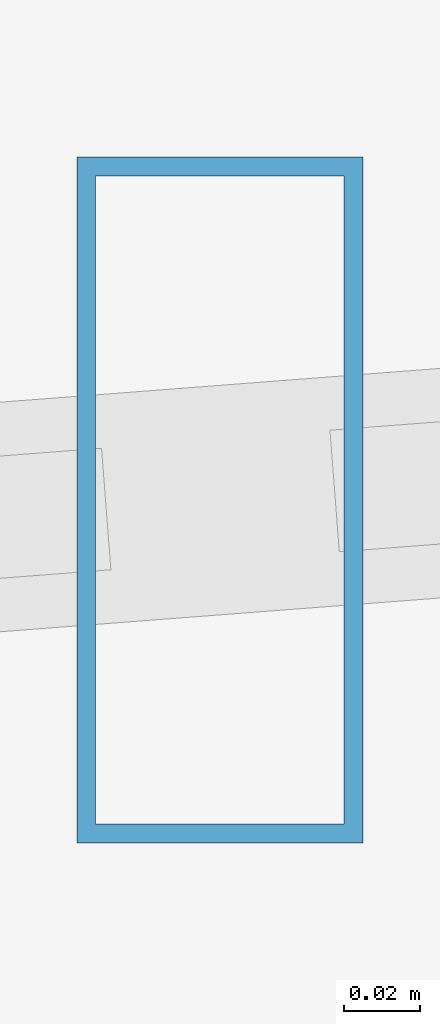
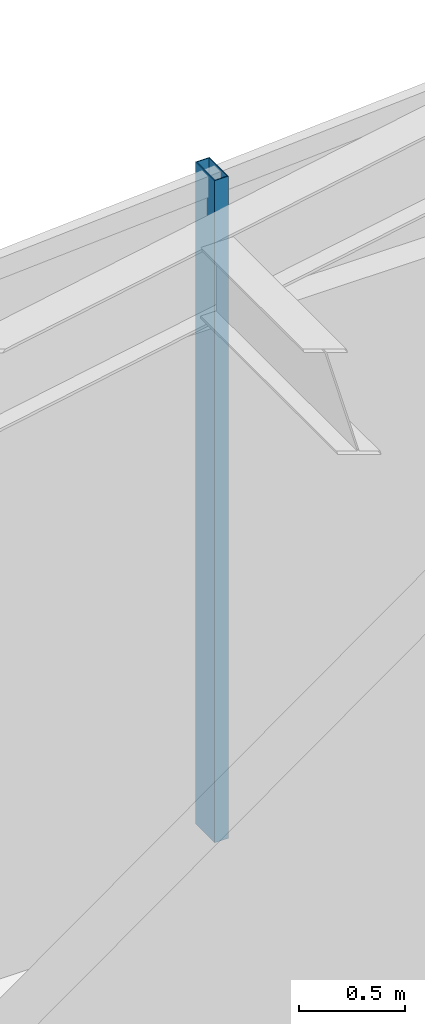
# One storey, part 10 of 28: 1 member, 1 element without a shape of its own.
"""IFC4 building model written with IfcOpenShell, lengths in metres."""

import ifcopenshell
import ifcopenshell.guid

model = None  # the IFC model being written
_history = None  # IfcOwnerHistory: only IFC2X3 demands one
_inside = {}  # id of a spatial element -> (the spatial element, [elements in it])
_under = {}  # id of a project, library or spatial element -> (it, [spatial elements below it])
_declared = {}  # id of a project -> (the project, [libraries it declares])
_typed = {}  # id of a type object -> (the type object, [elements of that type])
_made_of = {}  # id of a material, layer set ... -> (it, [elements and type objects made of it])


def new_model(schema):
    """Start an empty IFC model of exactly this schema.

    Asked for "IFC4X3", IfcOpenShell would pick the latest addendum, in which some entities
    have other attributes; the version numbers below select the first issue.
    IFC2X3 requires an IfcOwnerHistory on every rooted entity: one is made here for all.
    """
    global model, _history
    if schema == "IFC4X3":
        model = ifcopenshell.file(schema_version=(4, 3, 0, 0))
    else:
        model = ifcopenshell.file(schema=schema)
    _inside.clear()
    _under.clear()
    _declared.clear()
    _typed.clear()
    _made_of.clear()
    _history = None
    if model.schema == "IFC2X3":
        org = make("IfcOrganization", Name="unknown")
        user = make(
            "IfcPersonAndOrganization",
            ThePerson=make("IfcPerson", FamilyName="unknown"),
            TheOrganization=org,
        )
        app = make(
            "IfcApplication",
            ApplicationDeveloper=org,
            Version="unknown",
            ApplicationFullName="unknown",
            ApplicationIdentifier="unknown",
        )
        _history = make(
            "IfcOwnerHistory",
            OwningUser=user,
            OwningApplication=app,
            ChangeAction="ADDED",
            CreationDate=0,
        )
    return model


def make(cls, **values):
    """One entity of the class cls with the attributes given. An attribute that is None is left unset."""
    return model.create_entity(
        cls, **{name: value for name, value in values.items() if value is not None}
    )


def rooted(cls, **values):
    """An entity with a GlobalId (a new one), such as an element, a storey or a relation."""
    return make(cls, GlobalId=ifcopenshell.guid.new(), OwnerHistory=_history, **values)


def si_unit(unit_type, name, prefix=None):
    """IfcSIUnit, for example si_unit("LENGTHUNIT", "METRE", prefix="MILLI")."""
    return make("IfcSIUnit", UnitType=unit_type, Prefix=prefix, Name=name)


def assignment(units):
    """IfcUnitAssignment: the units of a project."""
    return None if units is None else make("IfcUnitAssignment", Units=units)


def point(xyz):
    """IfcCartesianPoint."""
    return None if xyz is None else make("IfcCartesianPoint", Coordinates=xyz)


def direction(xyz):
    """IfcDirection."""
    return None if xyz is None else make("IfcDirection", DirectionRatios=xyz)


def frame(location, z_axis=None, x_axis=None):
    """IfcAxis2Placement3D, a coordinate frame: its origin and axes. An axis left out is left unset."""
    return make(
        "IfcAxis2Placement3D",
        Location=point(location),
        Axis=direction(z_axis),
        RefDirection=direction(x_axis),
    )


def frame_2d(location, x_axis=None):
    """IfcAxis2Placement2D, a coordinate frame in the plane: its origin and x axis."""
    return make(
        "IfcAxis2Placement2D", Location=point(location), RefDirection=direction(x_axis)
    )


def origin():
    """The frame at (0, 0, 0) with its axes left unset."""
    return frame((0.0, 0.0, 0.0))


def origin_2d():
    """The frame at (0, 0) in the plane with its x axis left unset."""
    return frame_2d((0.0, 0.0))


def place(relative_to, where):
    """IfcLocalPlacement: puts the frame where relative to a parent placement (None: the world)."""
    return make(
        "IfcLocalPlacement", PlacementRelTo=relative_to, RelativePlacement=where
    )


def context(
    kind, dimensions, precision=None, world=None, true_north=None, identifier=None
):
    """IfcGeometricRepresentationContext, for example the 3D "Model" context."""
    return make(
        "IfcGeometricRepresentationContext",
        ContextIdentifier=identifier,
        ContextType=kind,
        CoordinateSpaceDimension=dimensions,
        Precision=precision,
        WorldCoordinateSystem=world,
        TrueNorth=true_north,
    )


def subcontext(parent, identifier, kind, view, scale=None):
    """IfcGeometricRepresentationSubContext, for example "Body" below "Model"."""
    return make(
        "IfcGeometricRepresentationSubContext",
        ContextIdentifier=identifier,
        ContextType=kind,
        ParentContext=parent,
        TargetScale=scale,
        TargetView=view,
    )


def project(units=None, contexts=None):
    """IfcProject with its units and contexts."""
    return rooted(
        "IfcProject",
        Name="project",
        RepresentationContexts=contexts,
        UnitsInContext=assignment(units),
    )


def spatial(cls, under=None, at=None, **own):
    """A site, building, storey or space (cls), placed at a placement, below another one or the project."""
    s = rooted(cls, ObjectPlacement=at, **own)
    if under is not None:
        _under.setdefault(under.id(), (under, []))[1].append(s)
    return s


def profile(cls, at=None, kind="AREA", **sizes):
    """A parametric profile (cls). Its sizes go by their IFC names, for example OverallWidth=200.0."""
    return make(cls, ProfileType=kind, Position=at, **sizes)


def hollow_rectangle(**sizes):
    """IfcRectangleHollowProfileDef."""
    return profile("IfcRectangleHollowProfileDef", **sizes)


def extrude(swept, where, along, depth):
    """IfcExtrudedAreaSolid: the profile swept, set in the frame where, extruded along a direction by depth."""
    return make(
        "IfcExtrudedAreaSolid",
        SweptArea=swept,
        Position=where,
        ExtrudedDirection=direction(along),
        Depth=depth,
    )


def shape(context_of_items, identifier, shape_type, items):
    """IfcShapeRepresentation: the items that make up one representation, for example the "Body"."""
    return make(
        "IfcShapeRepresentation",
        ContextOfItems=context_of_items,
        RepresentationIdentifier=identifier,
        RepresentationType=shape_type,
        Items=items,
    )


def material(Name=None, Category=None):
    """IfcMaterial."""
    return make("IfcMaterial", Name=Name, Category=Category)


def layer(
    of_material, thickness, ventilated=None, Name=None, Category=None, Priority=None
):
    """IfcMaterialLayer: one layer of a wall or slab, of a material (None: an air gap)."""
    return make(
        "IfcMaterialLayer",
        Material=of_material,
        LayerThickness=thickness,
        IsVentilated=ventilated,
        Name=Name,
        Category=Category,
        Priority=Priority,
    )


def layer_set(layers, Name=None):
    """IfcMaterialLayerSet."""
    return make("IfcMaterialLayerSet", MaterialLayers=layers, LayerSetName=Name)


def material_profile(
    of_material, cross_section, Name=None, Category=None, Priority=None
):
    """IfcMaterialProfile: a cross section and its material."""
    return make(
        "IfcMaterialProfile",
        Name=Name,
        Material=of_material,
        Profile=cross_section,
        Priority=Priority,
        Category=Category,
    )


def profile_set(profiles, Name=None, composite=None):
    """IfcMaterialProfileSet."""
    return make(
        "IfcMaterialProfileSet",
        Name=Name,
        MaterialProfiles=profiles,
        CompositeProfile=composite,
    )


def made_of(thing, what):
    """Note that an element or type object is made of a material, layer set ...; save() writes the relation."""
    if what is not None:
        _made_of.setdefault(what.id(), (what, []))[1].append(thing)
    return thing


def type_object(cls, material=None, **own):
    """A type object (cls), such as IfcWallType, which elements share."""
    return made_of(rooted(cls, **own), material)


def element(
    cls,
    number,
    at=None,
    inside=None,
    cuts=None,
    type_object=None,
    material=None,
    context=None,
    identifier="Body",
    shape_type=None,
    held_by="IfcProductDefinitionShape",
    body=None,
    shapes=None,
    **own,
):
    """One element of the class cls, such as IfcWall. Its Tag is "e" and its number.

    at: its placement. inside: the storey or other place that contains it. cuts: it is an
    opening in that element (IfcRelVoidsElement). A single representation is given by context,
    identifier, shape_type and body (its items); several are given by shapes. held_by: the class
    of the entity that holds the representations. save() writes the other relations.
    """
    e = rooted(cls, Tag="e%d" % number, ObjectPlacement=at, **own)
    if body is not None:
        shapes = [shape(context, identifier, shape_type, body)]
    if shapes is not None:
        e.Representation = make(held_by, Representations=shapes)
    if inside is not None:
        _inside.setdefault(inside.id(), (inside, []))[1].append(e)
    if cuts is not None:
        rooted(
            "IfcRelVoidsElement", RelatingBuildingElement=cuts, RelatedOpeningElement=e
        )
    if type_object is not None:
        _typed.setdefault(type_object.id(), (type_object, []))[1].append(e)
    return made_of(e, material)


def aggregate(whole, parts):
    """IfcRelAggregates: a whole, such as a stair, and the parts it consists of."""
    return rooted("IfcRelAggregates", RelatingObject=whole, RelatedObjects=parts)


def save(model, path):
    """Write the relations noted so far, then the file.

    IfcRelAggregates (storeys below a building ...), IfcRelContainedInSpatialStructure (elements
    in a storey), IfcRelDefinesByType, IfcRelAssociatesMaterial and IfcRelDeclares: one each for
    every whole, place, type object, material and project.
    """
    for whole, parts in _under.values():
        aggregate(whole, parts)
    for where, things in _inside.values():
        rooted(
            "IfcRelContainedInSpatialStructure",
            RelatedElements=things,
            RelatingStructure=where,
        )
    for kind, things in _typed.values():
        rooted("IfcRelDefinesByType", RelatedObjects=things, RelatingType=kind)
    for what, things in _made_of.values():
        rooted("IfcRelAssociatesMaterial", RelatedObjects=things, RelatingMaterial=what)
    for by, libraries in _declared.values():
        rooted("IfcRelDeclares", RelatingContext=by, RelatedDefinitions=libraries)
    model.write(path)


model = new_model("IFC4")

# Units and contexts
model_context = context("Model", 3, precision=1e-05, world=origin(), true_north=direction((0.0, 1.0)))
body_context = subcontext(model_context, "Body", "Model", "MODEL_VIEW")
ifc_project = project(units=[si_unit("LENGTHUNIT", "METRE"), si_unit("AREAUNIT", "SQUARE_METRE"), si_unit("VOLUMEUNIT", "CUBIC_METRE"), si_unit("PLANEANGLEUNIT", "RADIAN"), si_unit("MASSUNIT", "GRAM", prefix="KILO")], contexts=[model_context])

# Site, building, storey
site_placement = place(None, origin())
site = spatial("IfcSite", under=ifc_project, at=site_placement, CompositionType="ELEMENT")
building_placement = place(site_placement, origin())
building = spatial("IfcBuilding", under=site, at=building_placement, Name="Veymaron Broadcast Tower", CompositionType="ELEMENT")
storey_placement = place(building_placement, frame((0.0, 0.0, 45.89990234375)))
storey = spatial("IfcBuildingStorey", under=building, at=storey_placement, Name="L09", CompositionType="ELEMENT", Elevation=45.89990234375)

# Curtain wall, member
ifc_material_1 = material(Name="Anodised aluminium AA 6063-T6 and laminated low-E dark glass", Category="aluminium")
ifc_layer = layer(ifc_material_1, 0.179931640625)
ifc_layer_set = layer_set([ifc_layer], Name="Anodised aluminium AA 6063-T6 and laminated low-E dark glass")
curtain_wall_type = type_object("IfcCurtainWallType", Name="CW-SYS-02", PredefinedType="NOTDEFINED", material=ifc_layer_set)
curtain_wall_placement = place(storey_placement, origin())
curtain_wall = element("IfcCurtainWall", 1, at=curtain_wall_placement, inside=storey, type_object=curtain_wall_type, Name="L09 dark-glass curtain wall CW-L09-E11-1", PredefinedType="NOTDEFINED")
ifc_material_2 = material(Name="Anodised aluminium AA 6063-T6", Category="aluminium")
ifc_material_profile = material_profile(ifc_material_2, hollow_rectangle(XDim=0.074951171875, YDim=0.179931640625, WallThickness=0.0048828125, at=origin_2d()), Name="AL180X75X5")
ifc_profile_set = profile_set([ifc_material_profile], Name="Anodised aluminium AA 6063-T6")
member_type = type_object("IfcMemberType", Name="CW-MUL-02", PredefinedType="MULLION", material=ifc_profile_set)
member_placement = place(storey_placement, frame((19.142578125, 29.927001953125, 0.0), z_axis=(0.0, 0.0, 1.0), x_axis=(1.0, 0.0, 0.0)))
member = element("IfcMember", 2, at=member_placement, type_object=member_type, Name="CW-L09-E11-1 mullion 1", PredefinedType="MULLION", context=body_context, shape_type="SweptSolid", body=[
    extrude(hollow_rectangle(XDim=0.074951171875, YDim=0.179931640625, WallThickness=0.0048828125, at=origin_2d()), origin(), (0.0, 0.0, 1.0), 3.81005859375),
])
aggregate(curtain_wall, [member])

save(model, "model.ifc")
